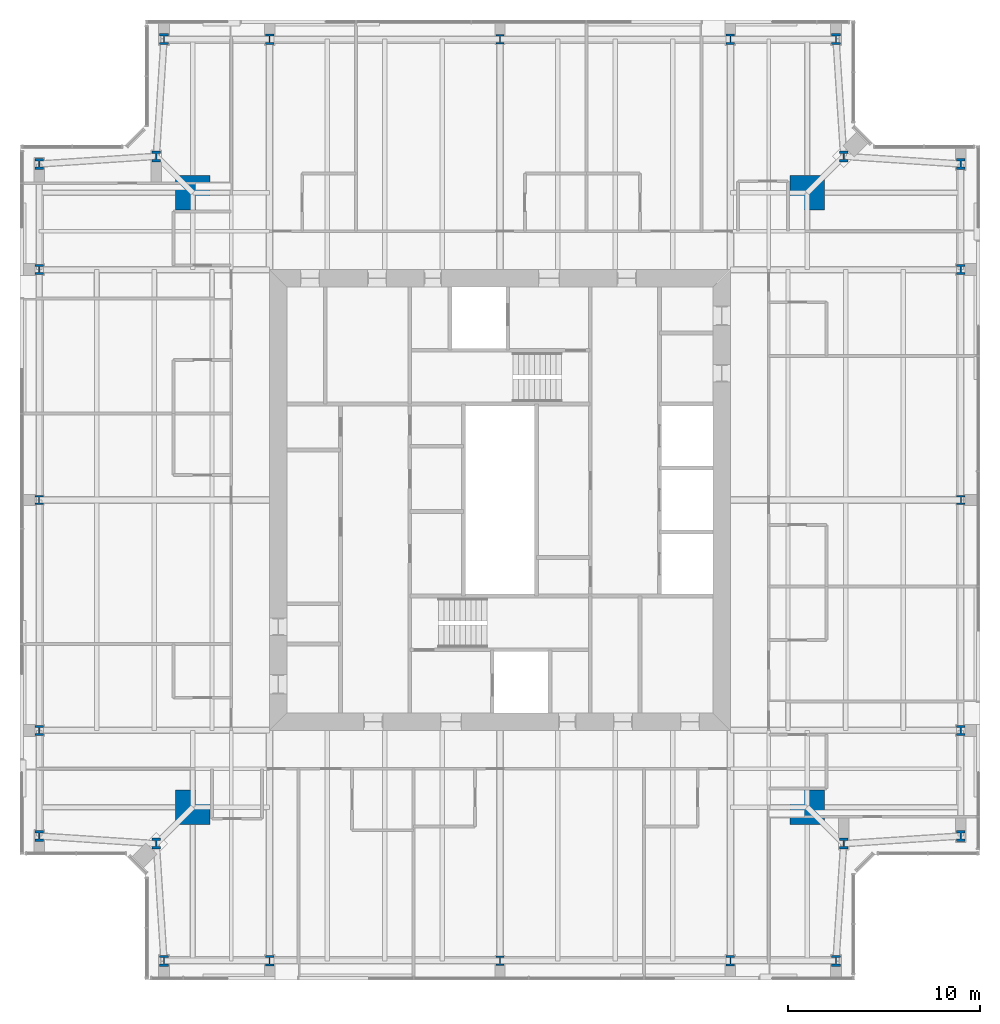
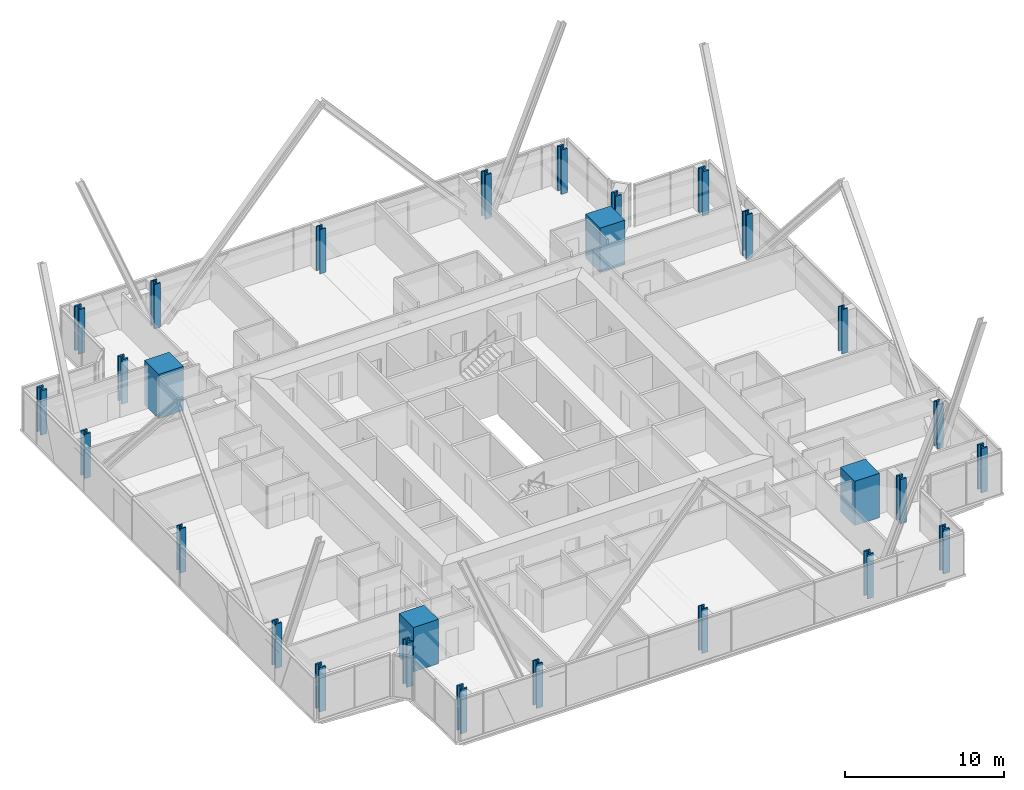
# One storey, part 1 of 18: 28 columns.
"""IFC4 building model written with IfcOpenShell, lengths in metres."""

from ifc_helpers import new_model, si_unit, direction, frame, origin, origin_2d, place, context, subcontext, project, spatial, rectangle, i_section, extrude, material, material_profile, profile_set, type_object, element, save


model = new_model("IFC4")

# Units and contexts
model_context = context("Model", 3, precision=1e-05, world=origin(), true_north=direction((0.0, 1.0)))
body_context = subcontext(model_context, "Body", "Model", "MODEL_VIEW")
ifc_project = project(units=[si_unit("LENGTHUNIT", "METRE"), si_unit("AREAUNIT", "SQUARE_METRE"), si_unit("VOLUMEUNIT", "CUBIC_METRE"), si_unit("PLANEANGLEUNIT", "RADIAN"), si_unit("MASSUNIT", "GRAM", prefix="KILO")], contexts=[model_context])

# Site, building, storey
site_placement = place(None, origin())
site = spatial("IfcSite", under=ifc_project, at=site_placement, CompositionType="ELEMENT")
building_placement = place(site_placement, origin())
building = spatial("IfcBuilding", under=site, at=building_placement, Name="Fenwick Lantern Interchange", CompositionType="ELEMENT")
storey_placement = place(building_placement, frame((0.0, 0.0, 269.60009765625)))
storey = spatial("IfcBuildingStorey", under=building, at=storey_placement, Name="L64", CompositionType="ELEMENT", Elevation=269.60009765625)

# Columns
ifc_material_1 = material(Name="Concrete f'c 70 MPa", Category="concrete")
ifc_material_profile_1 = material_profile(ifc_material_1, rectangle(XDim=1.800048828125, YDim=1.800048828125, at=origin_2d()), Name="RC1800X1800")
ifc_profile_set_1 = profile_set([ifc_material_profile_1], Name="Concrete f'c 70 MPa")
column_type_1 = type_object("IfcColumnType", Name="MEGA COLUMN RC1800X1800", PredefinedType="COLUMN", material=ifc_profile_set_1)
for number, where, z_axis, x_axis, name in (
    (1, (9.0, 9.0, 0.0), (0.0, 0.0, 1.0), (1.0, 0.0, 0.0), "L64/M1"),
    (2, (41.0, 9.0, 0.0), (0.0, 0.0, 1.0), (1.0, 0.0, 0.0), "L64/M2"),
    (3, (41.0, 41.0, 0.0), (0.0, 0.0, 1.0), (1.0, 0.0, 0.0), "L64/M3"),
    (4, (9.0, 41.0, 0.0), (0.0, 0.0, 1.0), (1.0, 0.0, 0.0), "L64/M4"),
):
    element("IfcColumn", number, at=place(storey_placement, frame(where, z_axis=z_axis, x_axis=x_axis)), inside=storey, type_object=column_type_1, Name=name, PredefinedType="COLUMN", context=body_context, shape_type="SweptSolid", body=[
        extrude(rectangle(XDim=1.800048828125, YDim=1.800048828125, at=origin_2d()), origin(), (0.0, 0.0, 1.0), 3.39990234375),
    ])
ifc_material_2 = material(Name="Steel ASTM A992 Grade 50", Category="steel")
ifc_material_profile_2 = material_profile(ifc_material_2, i_section(OverallWidth=0.424072265625, OverallDepth=0.47509765625, WebThickness=0.0478515625, FlangeThickness=0.0771484375, at=origin_2d()), Name="W14X426")
ifc_profile_set_2 = profile_set([ifc_material_profile_2], Name="Steel ASTM A992 Grade 50")
column_type_2 = type_object("IfcColumnType", Name="PERIMETER COLUMN W14X426", PredefinedType="COLUMN", material=ifc_profile_set_2)
for number, where, z_axis, x_axis, name in (
    (5, (25.0, 1.0, 0.0), (0.0, 0.0, 1.0), (1.0, 0.0, 0.0), "L64/CS3"),
    (6, (49.0, 25.0, 0.0), (0.0, 0.0, 1.0), (1.0, 0.0, 0.0), "L64/CE3"),
    (7, (25.0, 49.0, 0.0), (0.0, 0.0, 1.0), (1.0, 0.0, 0.0), "L64/CN3"),
    (8, (1.0, 25.0, 0.0), (0.0, 0.0, 1.0), (1.0, 0.0, 0.0), "L64/CW3"),
):
    element("IfcColumn", number, at=place(storey_placement, frame(where, z_axis=z_axis, x_axis=x_axis)), inside=storey, type_object=column_type_2, Name=name, PredefinedType="COLUMN", context=body_context, shape_type="SweptSolid", body=[
        extrude(i_section(OverallWidth=0.424072265625, OverallDepth=0.47509765625, WebThickness=0.0478515625, FlangeThickness=0.0771484375, at=origin_2d()), origin(), (0.0, 0.0, 1.0), 3.39990234375),
    ])
ifc_material_profile_3 = material_profile(ifc_material_2, i_section(OverallWidth=0.44189453125, OverallDepth=0.53076171875, WebThickness=0.06591796875, FlangeThickness=0.105712890625, at=origin_2d()), Name="W14X605")
ifc_profile_set_3 = profile_set([ifc_material_profile_3], Name="Steel ASTM A992 Grade 50")
column_type_3 = type_object("IfcColumnType", Name="PERIMETER COLUMN W14X605", PredefinedType="COLUMN", material=ifc_profile_set_3)
for number, where, z_axis, x_axis, name in (
    (9, (13.0, 1.0, 0.0), (0.0, 0.0, 1.0), (1.0, 0.0, 0.0), "L64/CS2"),
    (10, (37.0, 1.0, 0.0), (0.0, 0.0, 1.0), (1.0, 0.0, 0.0), "L64/CS4"),
    (11, (49.0, 13.0, 0.0), (0.0, 0.0, 1.0), (1.0, 0.0, 0.0), "L64/CE2"),
    (12, (49.0, 37.0, 0.0), (0.0, 0.0, 1.0), (1.0, 0.0, 0.0), "L64/CE4"),
    (13, (37.0, 49.0, 0.0), (0.0, 0.0, 1.0), (1.0, 0.0, 0.0), "L64/CN2"),
    (14, (13.0, 49.0, 0.0), (0.0, 0.0, 1.0), (1.0, 0.0, 0.0), "L64/CN4"),
    (15, (1.0, 37.0, 0.0), (0.0, 0.0, 1.0), (1.0, 0.0, 0.0), "L64/CW2"),
    (16, (1.0, 13.0, 0.0), (0.0, 0.0, 1.0), (1.0, 0.0, 0.0), "L64/CW4"),
):
    element("IfcColumn", number, at=place(storey_placement, frame(where, z_axis=z_axis, x_axis=x_axis)), inside=storey, type_object=column_type_3, Name=name, PredefinedType="COLUMN", context=body_context, shape_type="SweptSolid", body=[
        extrude(i_section(OverallWidth=0.44189453125, OverallDepth=0.53076171875, WebThickness=0.06591796875, FlangeThickness=0.105712890625, at=origin_2d()), origin(), (0.0, 0.0, 1.0), 3.39990234375),
    ])
ifc_material_profile_4 = material_profile(ifc_material_2, i_section(OverallWidth=0.45458984375, OverallDepth=0.56884765625, WebThickness=0.077880859375, FlangeThickness=0.124755859375, at=origin_2d()), Name="W14X730")
ifc_profile_set_4 = profile_set([ifc_material_profile_4], Name="Steel ASTM A992 Grade 50")
column_type_4 = type_object("IfcColumnType", Name="PERIMETER COLUMN W14X730", PredefinedType="COLUMN", material=ifc_profile_set_4)
for number, where, z_axis, x_axis, name in (
    (17, (7.5, 1.0, 0.0), (0.0, 0.0, 1.0), (1.0, 0.0, 0.0), "L64/CS1"),
    (18, (42.5, 1.0, 0.0), (0.0, 0.0, 1.0), (1.0, 0.0, 0.0), "L64/CS5"),
    (19, (42.89990234375, 7.10009765625, 0.0), (0.0, 0.0, 1.0), (1.0, 0.0, 0.0), "L64/CSR"),
    (20, (49.0, 7.5, 0.0), (0.0, 0.0, 1.0), (1.0, 0.0, 0.0), "L64/CE1"),
    (21, (49.0, 42.5, 0.0), (0.0, 0.0, 1.0), (1.0, 0.0, 0.0), "L64/CE5"),
    (22, (42.89990234375, 42.89990234375, 0.0), (0.0, 0.0, 1.0), (1.0, 0.0, 0.0), "L64/CER"),
    (23, (42.5, 49.0, 0.0), (0.0, 0.0, 1.0), (1.0, 0.0, 0.0), "L64/CN1"),
    (24, (7.5, 49.0, 0.0), (0.0, 0.0, 1.0), (1.0, 0.0, 0.0), "L64/CN5"),
    (25, (7.10009765625, 42.89990234375, 0.0), (0.0, 0.0, 1.0), (1.0, 0.0, 0.0), "L64/CNR"),
    (26, (1.0, 42.5, 0.0), (0.0, 0.0, 1.0), (1.0, 0.0, 0.0), "L64/CW1"),
    (27, (1.0, 7.5, 0.0), (0.0, 0.0, 1.0), (1.0, 0.0, 0.0), "L64/CW5"),
    (28, (7.10009765625, 7.10009765625, 0.0), (0.0, 0.0, 1.0), (1.0, 0.0, 0.0), "L64/CWR"),
):
    element("IfcColumn", number, at=place(storey_placement, frame(where, z_axis=z_axis, x_axis=x_axis)), inside=storey, type_object=column_type_4, Name=name, PredefinedType="COLUMN", context=body_context, shape_type="SweptSolid", body=[
        extrude(i_section(OverallWidth=0.45458984375, OverallDepth=0.56884765625, WebThickness=0.077880859375, FlangeThickness=0.124755859375, at=origin_2d()), origin(), (0.0, 0.0, 1.0), 3.39990234375),
    ])

save(model, "model.ifc")
